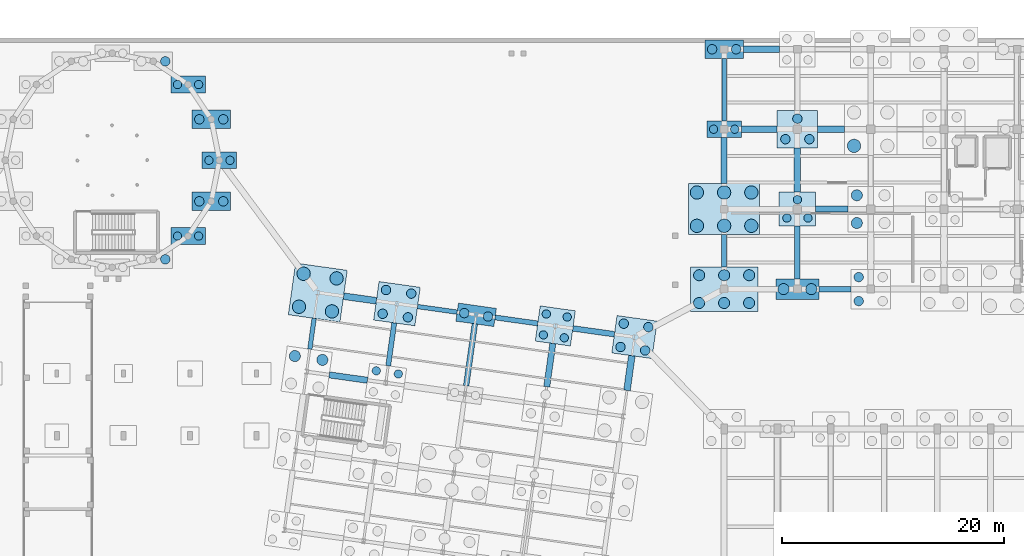
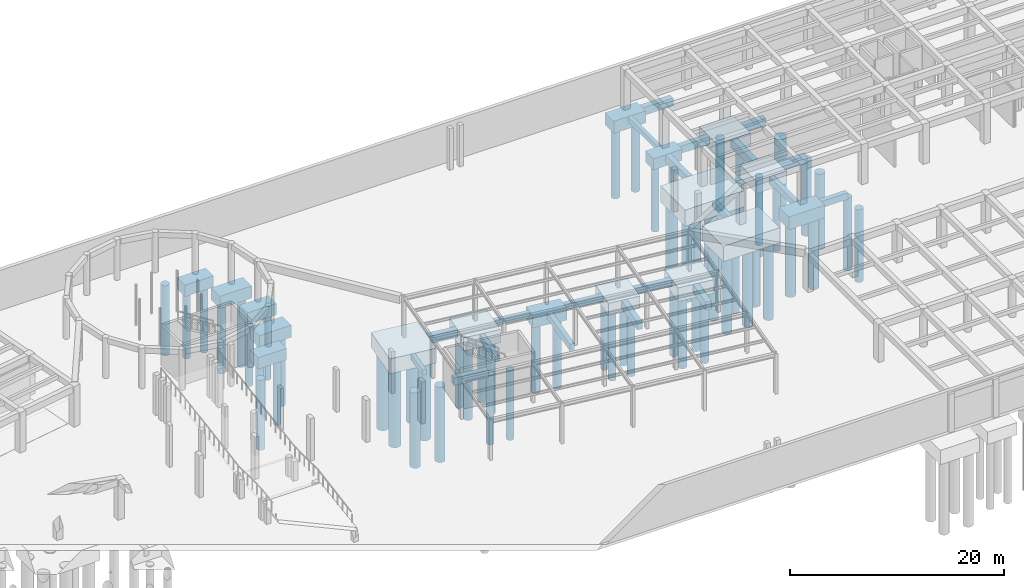
# One storey, part 7 of 34: 63 piles, 37 footings.
"""IFC4 building model written with IfcOpenShell, lengths in metres."""

from ifc_helpers import new_model, si_unit, direction, frame, origin, origin_2d, place, context, subcontext, project, spatial, rectangle, circle, extrude, material, material_profile, profile_set, type_object, element, save


model = new_model("IFC4")

# Units and contexts
model_context = context("Model", 3, precision=1e-05, world=origin(), true_north=direction((0.0, 1.0)))
body_context = subcontext(model_context, "Body", "Model", "MODEL_VIEW")
ifc_project = project(units=[si_unit("LENGTHUNIT", "METRE"), si_unit("AREAUNIT", "SQUARE_METRE"), si_unit("VOLUMEUNIT", "CUBIC_METRE"), si_unit("PLANEANGLEUNIT", "RADIAN"), si_unit("MASSUNIT", "GRAM", prefix="KILO")], contexts=[model_context])

# Site, building, storey
site_placement = place(None, origin())
site = spatial("IfcSite", under=ifc_project, at=site_placement, CompositionType="ELEMENT")
building_placement = place(site_placement, origin())
building = spatial("IfcBuilding", under=site, at=building_placement, Name="Kharisveld Research Institute", CompositionType="ELEMENT")
storey_placement = place(building_placement, frame((0.0, 0.0, -4.800048828125)))
storey = spatial("IfcBuildingStorey", under=building, at=storey_placement, Name="B1", CompositionType="ELEMENT", Elevation=-4.800048828125)

# Footings
ifc_material_1 = material(Name="Concrete C35/45", Category="concrete")
ifc_material_profile_1 = material_profile(ifc_material_1, rectangle(XDim=0.449951171875, YDim=0.64990234375, at=origin_2d()))
ifc_profile_set_1 = profile_set([ifc_material_profile_1], Name="Concrete C35/45")
footing_type_1 = type_object("IfcFootingType", Name="GB_01", PredefinedType="FOOTING_BEAM", material=ifc_profile_set_1)
footing_1_placement = place(storey_placement, frame((114.60009765625, 41.199951171875, -0.77490234375), z_axis=(0.0, 1.0, 0.0), x_axis=(-1.0, 0.0, 0.0)))
element("IfcFooting", 1, at=footing_1_placement, inside=storey, type_object=footing_type_1, Name="FTG:GB:V2:V0_0", PredefinedType="FOOTING_BEAM", context=body_context, shape_type="SweptSolid", body=[
    extrude(rectangle(XDim=0.449951171875, YDim=0.64990234375, at=origin_2d()), origin(), (0.0, 0.0, 1.0), 2.900146484375),
])
footing_2_placement = place(storey_placement, frame((93.97412109375, 36.6455078125, -0.77490234375), z_axis=(0.990276930638, -0.139110030719, 0.0), x_axis=(0.139110030719, 0.990276930638, 0.0)))
element("IfcFooting", 2, at=footing_2_placement, inside=storey, type_object=footing_type_1, Name="FTG:GB:V4:U2_3", PredefinedType="FOOTING_BEAM", context=body_context, shape_type="SweptSolid", body=[
    extrude(rectangle(XDim=0.449951171875, YDim=0.64990234375, at=origin_2d()), origin(), (0.0, 0.0, 1.0), 3.875),
])
footing_3_placement = place(storey_placement, frame((84.349853515625, 32.292724609375, -0.77490234375), z_axis=(0.139159874137, 0.99026992756, 0.0), x_axis=(-0.99026992756, 0.139159874137, 0.0)))
element("IfcFooting", 3, at=footing_3_placement, inside=storey, type_object=footing_type_1, Name="FTG:GB:V4:V1_2", PredefinedType="FOOTING_BEAM", context=body_context, shape_type="SweptSolid", body=[
    extrude(rectangle(XDim=0.449951171875, YDim=0.64990234375, at=origin_2d()), origin(), (0.0, 0.0, 1.0), 3.89990234375),
])
ifc_material_2 = material(Name="Concrete C35/45", Category="concrete")
ifc_material_profile_2 = material_profile(ifc_material_2, rectangle(XDim=0.5, YDim=0.75, at=origin_2d()))
ifc_profile_set_2 = profile_set([ifc_material_profile_2], Name="Concrete C35/45")
footing_type_2 = type_object("IfcFootingType", Name="GB_02", PredefinedType="FOOTING_BEAM", material=ifc_profile_set_2)
footing_4_placement = place(storey_placement, frame((123.14990234375, 39.199951171875, -0.824951171875), z_axis=(1.0, 0.0, 0.0), x_axis=(0.0, 1.0, 0.0)))
element("IfcFooting", 4, at=footing_4_placement, inside=storey, type_object=footing_type_2, Name="FTG:GB:V2:U1_0", PredefinedType="FOOTING_BEAM", context=body_context, shape_type="SweptSolid", body=[
    extrude(rectangle(XDim=0.5, YDim=0.75, at=origin_2d()), origin(), (0.0, 0.0, 1.0), 2.875),
])
footing_5_placement = place(storey_placement, frame((121.199951171875, 40.125, -0.824951171875), z_axis=(0.0, 1.0, 0.0), x_axis=(-1.0, 0.0, 0.0)))
element("IfcFooting", 5, at=footing_5_placement, inside=storey, type_object=footing_type_2, Name="FTG:GB:V2:V1_0", PredefinedType="FOOTING_BEAM", context=body_context, shape_type="SweptSolid", body=[
    extrude(rectangle(XDim=0.5, YDim=0.75, at=origin_2d()), origin(), (0.0, 0.0, 1.0), 4.75),
])
footing_6_placement = place(storey_placement, frame((100.98046875, 35.660888671875, -0.824951171875), z_axis=(0.990266470635, -0.139184471609, 0.0), x_axis=(0.139184471609, 0.990266470635, 0.0)))
element("IfcFooting", 6, at=footing_6_placement, inside=storey, type_object=footing_type_2, Name="FTG:GB:V4:U3_3", PredefinedType="FOOTING_BEAM", context=body_context, shape_type="SweptSolid", body=[
    extrude(rectangle(XDim=0.5, YDim=0.75, at=origin_2d()), origin(), (0.0, 0.0, 1.0), 3.774658203125),
])
footing_7_placement = place(storey_placement, frame((91.368408203125, 30.49853515625, -0.824951171875), z_axis=(0.139148428478, 0.990271535919, 0.0), x_axis=(-0.990271535919, 0.139148428478, 0.0)))
element("IfcFooting", 7, at=footing_7_placement, inside=storey, type_object=footing_type_2, Name="FTG:GB:V4:V2_2", PredefinedType="FOOTING_BEAM", context=body_context, shape_type="SweptSolid", body=[
    extrude(rectangle(XDim=0.5, YDim=0.75, at=origin_2d()), origin(), (0.0, 0.0, 1.0), 5.625),
])
ifc_material_3 = material(Name="Concrete C35/45", Category="concrete")
ifc_material_profile_3 = material_profile(ifc_material_3, rectangle(XDim=0.550048828125, YDim=0.85009765625, at=origin_2d()))
ifc_profile_set_3 = profile_set([ifc_material_profile_3], Name="Concrete C35/45")
footing_type_3 = type_object("IfcFootingType", Name="GB_03", PredefinedType="FOOTING_BEAM", material=ifc_profile_set_3)
footing_8_placement = place(storey_placement, frame((122.85009765625, 46.39990234375, -0.875), z_axis=(1.0, 0.0, 0.0), x_axis=(0.0, 1.0, 0.0)))
element("IfcFooting", 8, at=footing_8_placement, inside=storey, type_object=footing_type_3, Name="FTG:GB:V2:U1_1", PredefinedType="FOOTING_BEAM", context=body_context, shape_type="SweptSolid", body=[
    extrude(rectangle(XDim=0.550048828125, YDim=0.85009765625, at=origin_2d()), origin(), (0.0, 0.0, 1.0), 2.89990234375),
])
footing_9_placement = place(storey_placement, frame((116.14990234375, 53.60009765625, -0.875), z_axis=(1.0, 0.0, 0.0), x_axis=(0.0, 1.0, 0.0)))
element("IfcFooting", 9, at=footing_9_placement, inside=storey, type_object=footing_type_3, Name="FTG:GB:V2:U0_2", PredefinedType="FOOTING_BEAM", context=body_context, shape_type="SweptSolid", body=[
    extrude(rectangle(XDim=0.550048828125, YDim=0.85009765625, at=origin_2d()), origin(), (0.0, 0.0, 1.0), 3.22509765625),
])
footing_10_placement = place(storey_placement, frame((114.60009765625, 48.699951171875, -0.875), z_axis=(0.0, 1.0, 0.0), x_axis=(-1.0, 0.0, 0.0)))
element("IfcFooting", 10, at=footing_10_placement, inside=storey, type_object=footing_type_3, Name="FTG:GB:V2:V0_1", PredefinedType="FOOTING_BEAM", context=body_context, shape_type="SweptSolid", body=[
    extrude(rectangle(XDim=0.550048828125, YDim=0.85009765625, at=origin_2d()), origin(), (0.0, 0.0, 1.0), 4.150146484375),
])
footing_11_placement = place(storey_placement, frame((79.0341796875, 31.474609375, -0.875), z_axis=(0.990267323792, -0.13917840145, 0.0), x_axis=(0.13917840145, 0.990267323792, 0.0)))
element("IfcFooting", 11, at=footing_11_placement, inside=storey, type_object=footing_type_3, Name="FTG:GB:V4:U0_2", PredefinedType="FOOTING_BEAM", context=body_context, shape_type="SweptSolid", body=[
    extrude(rectangle(XDim=0.550048828125, YDim=0.85009765625, at=origin_2d()), origin(), (0.0, 0.0, 1.0), 3.47509765625),
])
footing_12_placement = place(storey_placement, frame((98.626953125, 30.412353515625, -0.875), z_axis=(0.139200509772, 0.990264216298, 0.0), x_axis=(-0.990264216298, 0.139200509772, 0.0)))
element("IfcFooting", 12, at=footing_12_placement, inside=storey, type_object=footing_type_3, Name="FTG:GB:V4:V3_2", PredefinedType="FOOTING_BEAM", context=body_context, shape_type="SweptSolid", body=[
    extrude(rectangle(XDim=0.550048828125, YDim=0.85009765625, at=origin_2d()), origin(), (0.0, 0.0, 1.0), 3.92529296875),
])
ifc_material_4 = material(Name="Concrete C35/45", Category="concrete")
ifc_material_profile_4 = material_profile(ifc_material_4, rectangle(XDim=0.60009765625, YDim=0.89990234375, at=origin_2d()))
ifc_profile_set_4 = profile_set([ifc_material_profile_4], Name="Concrete C35/45")
footing_type_4 = type_object("IfcFootingType", Name="GB_04", PredefinedType="FOOTING_BEAM", material=ifc_profile_set_4)
footing_13_placement = place(storey_placement, frame((123.02490234375, 53.60009765625, -0.89990234375), z_axis=(1.0, 0.0, 0.0), x_axis=(0.0, 1.0, 0.0)))
element("IfcFooting", 13, at=footing_13_placement, inside=storey, type_object=footing_type_4, Name="FTG:GB:V2:U1_2", PredefinedType="FOOTING_BEAM", context=body_context, shape_type="SweptSolid", body=[
    extrude(rectangle(XDim=0.60009765625, YDim=0.89990234375, at=origin_2d()), origin(), (0.0, 0.0, 1.0), 2.425048828125),
])
footing_14_placement = place(storey_placement, frame((116.324951171875, 60.800048828125, -0.89990234375), z_axis=(1.0, 0.0, 0.0), x_axis=(0.0, 1.0, 0.0)))
element("IfcFooting", 14, at=footing_14_placement, inside=storey, type_object=footing_type_4, Name="FTG:GB:V2:U0_3", PredefinedType="FOOTING_BEAM", context=body_context, shape_type="SweptSolid", body=[
    extrude(rectangle(XDim=0.60009765625, YDim=0.89990234375, at=origin_2d()), origin(), (0.0, 0.0, 1.0), 3.275146484375),
])
footing_15_placement = place(storey_placement, frame((121.199951171875, 47.925048828125, -0.89990234375), z_axis=(0.0, 1.0, 0.0), x_axis=(-1.0, 0.0, 0.0)))
element("IfcFooting", 15, at=footing_15_placement, inside=storey, type_object=footing_type_4, Name="FTG:GB:V2:V1_1", PredefinedType="FOOTING_BEAM", context=body_context, shape_type="SweptSolid", body=[
    extrude(rectangle(XDim=0.60009765625, YDim=0.89990234375, at=origin_2d()), origin(), (0.0, 0.0, 1.0), 4.0),
])
footing_16_placement = place(storey_placement, frame((80.333251953125, 38.562744140625, -0.89990234375), z_axis=(0.990267008431, -0.139180645256, 0.0), x_axis=(0.139180645256, 0.990267008431, 0.0)))
element("IfcFooting", 16, at=footing_16_placement, inside=storey, type_object=footing_type_4, Name="FTG:GB:V4:U0_3", PredefinedType="FOOTING_BEAM", context=body_context, shape_type="SweptSolid", body=[
    extrude(rectangle(XDim=0.60009765625, YDim=0.89990234375, at=origin_2d()), origin(), (0.0, 0.0, 1.0), 2.97509765625),
])
footing_17_placement = place(storey_placement, frame((105.850830078125, 30.078857421875, -0.89990234375), z_axis=(0.139196643081, 0.990264759827, 0.0), x_axis=(-0.990264759827, 0.139196643081, 0.0)))
element("IfcFooting", 17, at=footing_17_placement, inside=storey, type_object=footing_type_4, Name="FTG:GB:V4:V4_2", PredefinedType="FOOTING_BEAM", context=body_context, shape_type="SweptSolid", body=[
    extrude(rectangle(XDim=0.60009765625, YDim=0.89990234375, at=origin_2d()), origin(), (0.0, 0.0, 1.0), 3.150146484375),
])
ifc_material_5 = material(Name="Concrete C35/45", Category="concrete")
ifc_material_profile_5 = material_profile(ifc_material_5, rectangle(XDim=0.39990234375, YDim=0.60009765625, at=origin_2d()))
ifc_profile_set_5 = profile_set([ifc_material_profile_5], Name="Concrete C35/45")
footing_type_5 = type_object("IfcFootingType", Name="GB_05", PredefinedType="FOOTING_BEAM", material=ifc_profile_set_5)
footing_18_placement = place(storey_placement, frame((114.60009765625, 54.35009765625, -0.75), z_axis=(0.0, 1.0, 0.0), x_axis=(-1.0, 0.0, 0.0)))
element("IfcFooting", 18, at=footing_18_placement, inside=storey, type_object=footing_type_5, Name="FTG:GB:V2:V0_2", PredefinedType="FOOTING_BEAM", context=body_context, shape_type="SweptSolid", body=[
    extrude(rectangle(XDim=0.39990234375, YDim=0.60009765625, at=origin_2d()), origin(), (0.0, 0.0, 1.0), 5.625),
])
footing_19_placement = place(storey_placement, frame((86.992919921875, 37.626708984375, -0.75), z_axis=(0.990269725511, -0.139161311926, 0.0), x_axis=(0.139161311926, 0.990269725511, 0.0)))
element("IfcFooting", 19, at=footing_19_placement, inside=storey, type_object=footing_type_5, Name="FTG:GB:V4:U1_3", PredefinedType="FOOTING_BEAM", context=body_context, shape_type="SweptSolid", body=[
    extrude(rectangle(XDim=0.39990234375, YDim=0.60009765625, at=origin_2d()), origin(), (0.0, 0.0, 1.0), 3.599853515625),
])
footing_20_placement = place(storey_placement, frame((77.289306640625, 33.789794921875, -0.75), z_axis=(0.139236129266, 0.990259208645, 0.0), x_axis=(-0.990259208645, 0.139236129266, 0.0)))
element("IfcFooting", 20, at=footing_20_placement, inside=storey, type_object=footing_type_5, Name="FTG:GB:V4:V0_2", PredefinedType="FOOTING_BEAM", context=body_context, shape_type="SweptSolid", body=[
    extrude(rectangle(XDim=0.39990234375, YDim=0.60009765625, at=origin_2d()), origin(), (0.0, 0.0, 1.0), 2.80029296875),
])
ifc_material_6 = material(Name="Concrete C35/45", Category="concrete")
footing_type_6 = type_object("IfcFootingType", Name="PC_2P_A", PredefinedType="PILE_CAP", material=ifc_material_6)
for number, where, z_axis, x_axis, name in (
    (21, (114.60009765625, 53.60009765625, -1.75), (0.0, 0.0, 1.0), (1.0, 0.0, 0.0), "FTG:V2:U0V2"),
    (22, (69.14990234375, 50.800048828125, -1.75), (0.0, 0.0, 1.0), (1.0, 0.0, 0.0), "FTG:V6:R00"),
    (23, (66.323486328125, 57.62353515625, -1.75), (0.0, 0.0, 1.0), (1.0, 0.0, 0.0), "FTG:V6:R02"),
    (24, (66.323486328125, 43.976318359375, -1.75), (0.0, 0.0, 1.0), (1.0, 0.0, 0.0), "FTG:V6:R14"),
):
    element("IfcFooting", number, at=place(storey_placement, frame(where, z_axis=z_axis, x_axis=x_axis)), inside=storey, type_object=footing_type_6, Name=name, PredefinedType="PILE_CAP", context=body_context, shape_type="SweptSolid", body=[
        extrude(rectangle(XDim=3.10009765625, YDim=1.5, at=origin_2d()), origin(), (0.0, 0.0, 1.0), 1.300048828125),
    ])
ifc_material_7 = material(Name="Concrete C35/45", Category="concrete")
footing_type_7 = type_object("IfcFootingType", Name="PC_2P_B", PredefinedType="PILE_CAP", material=ifc_material_7)
for number, where, z_axis, x_axis, name in (
    (25, (114.60009765625, 60.800048828125, -1.849853515625), (0.0, 0.0, 1.0), (1.0, 0.0, 0.0), "FTG:V2:U0V3"),
    (26, (92.26611328125, 36.8857421875, -1.849853515625), (0.0, 0.0, 1.0), (0.990268068742, -0.13917310096, 0.0), "FTG:V4:U2V3"),
    (27, (68.41552734375, 54.492919921875, -1.849853515625), (0.0, 0.0, 1.0), (1.0, 0.0, 0.0), "FTG:V6:R01"),
    (28, (68.41552734375, 47.107177734375, -1.849853515625), (0.0, 0.0, 1.0), (1.0, 0.0, 0.0), "FTG:V6:R15"),
):
    element("IfcFooting", number, at=place(storey_placement, frame(where, z_axis=z_axis, x_axis=x_axis)), inside=storey, type_object=footing_type_7, Name=name, PredefinedType="PILE_CAP", context=body_context, shape_type="SweptSolid", body=[
        extrude(rectangle(XDim=3.449951171875, YDim=1.64990234375, at=origin_2d()), origin(), (0.0, 0.0, 1.0), 1.39990234375),
    ])
ifc_material_8 = material(Name="Concrete C35/45", Category="concrete")
footing_type_8 = type_object("IfcFootingType", Name="PC_2P_C", PredefinedType="PILE_CAP", material=ifc_material_8)
footing_21_placement = place(storey_placement, frame((121.199951171875, 39.199951171875, -1.89990234375), z_axis=(0.0, 0.0, 1.0), x_axis=(1.0, 0.0, 0.0)))
element("IfcFooting", 29, at=footing_21_placement, inside=storey, type_object=footing_type_8, Name="FTG:V2:U1V0", PredefinedType="PILE_CAP", context=body_context, shape_type="SweptSolid", body=[
    extrude(rectangle(XDim=3.89990234375, YDim=1.85009765625, at=origin_2d()), origin(), (0.0, 0.0, 1.0), 1.449951171875),
])
ifc_material_9 = material(Name="Concrete C35/45", Category="concrete")
footing_type_9 = type_object("IfcFootingType", Name="PC_3P_A", PredefinedType="PILE_CAP", material=ifc_material_9)
footing_22_placement = place(storey_placement, frame((121.199951171875, 46.39990234375, -1.89990234375), z_axis=(0.0, 0.0, 1.0), x_axis=(1.0, 0.0, 0.0)))
element("IfcFooting", 30, at=footing_22_placement, inside=storey, type_object=footing_type_9, Name="FTG:V2:U1V1", PredefinedType="PILE_CAP", context=body_context, shape_type="SweptSolid", body=[
    extrude(rectangle(XDim=3.300048828125, YDim=3.050048828125, at=origin_2d()), origin(), (0.0, 0.0, 1.0), 1.449951171875),
])
ifc_material_10 = material(Name="Concrete C35/45", Category="concrete")
footing_type_10 = type_object("IfcFootingType", Name="PC_3P_B", PredefinedType="PILE_CAP", material=ifc_material_10)
footing_23_placement = place(storey_placement, frame((121.199951171875, 53.60009765625, -1.949951171875), z_axis=(0.0, 0.0, 1.0), x_axis=(1.0, 0.0, 0.0)))
element("IfcFooting", 31, at=footing_23_placement, inside=storey, type_object=footing_type_10, Name="FTG:V2:U1V2", PredefinedType="PILE_CAP", context=body_context, shape_type="SweptSolid", body=[
    extrude(rectangle(XDim=3.64990234375, YDim=3.35009765625, at=origin_2d()), origin(), (0.0, 0.0, 1.0), 1.5),
])
ifc_material_11 = material(Name="Concrete C35/45", Category="concrete")
footing_type_11 = type_object("IfcFootingType", Name="PC_4P_A", PredefinedType="PILE_CAP", material=ifc_material_11)
footing_24_placement = place(storey_placement, frame((99.39599609375, 35.883544921875, -1.849853515625), z_axis=(0.0, 0.0, 1.0), x_axis=(0.990268068742, -0.13917310096, 0.0)))
element("IfcFooting", 32, at=footing_24_placement, inside=storey, type_object=footing_type_11, Name="FTG:V4:U3V3", PredefinedType="PILE_CAP", context=body_context, shape_type="SweptSolid", body=[
    extrude(rectangle(XDim=3.199951171875, YDim=3.199951171875, at=origin_2d()), origin(), (0.0, 0.0, 1.0), 1.39990234375),
])
ifc_material_12 = material(Name="Concrete C35/45", Category="concrete")
footing_type_12 = type_object("IfcFootingType", Name="PC_4P_D", PredefinedType="PILE_CAP", material=ifc_material_12)
footing_25_placement = place(storey_placement, frame((78.006103515625, 38.889892578125, -2.14990234375), z_axis=(0.0, 0.0, 1.0), x_axis=(0.990268068742, -0.13917310096, 0.0)))
element("IfcFooting", 33, at=footing_25_placement, inside=storey, type_object=footing_type_12, Name="FTG:V4:U0V3", PredefinedType="PILE_CAP", context=body_context, shape_type="SweptSolid", body=[
    extrude(rectangle(XDim=4.699951171875, YDim=4.699951171875, at=origin_2d()), origin(), (0.0, 0.0, 1.0), 1.699951171875),
])
ifc_material_13 = material(Name="Concrete C35/45", Category="concrete")
footing_type_13 = type_object("IfcFootingType", Name="PC_4P_E", PredefinedType="PILE_CAP", material=ifc_material_13)
footing_26_placement = place(storey_placement, frame((106.52587890625, 34.881591796875, -2.0), z_axis=(0.0, 0.0, 1.0), x_axis=(0.990268068742, -0.13917310096, 0.0)))
element("IfcFooting", 34, at=footing_26_placement, inside=storey, type_object=footing_type_13, Name="FTG:V4:U4V3", PredefinedType="PILE_CAP", context=body_context, shape_type="SweptSolid", body=[
    extrude(rectangle(XDim=3.64990234375, YDim=3.39990234375, at=origin_2d()), origin(), (0.0, 0.0, 1.0), 1.550048828125),
])
ifc_material_14 = material(Name="Concrete C35/45", Category="concrete")
footing_type_14 = type_object("IfcFootingType", Name="PC_4P_H", PredefinedType="PILE_CAP", material=ifc_material_14)
footing_27_placement = place(storey_placement, frame((85.135986328125, 37.8876953125, -1.969970703125), z_axis=(0.0, 0.0, 1.0), x_axis=(0.990268068742, -0.13917310096, 0.0)))
element("IfcFooting", 35, at=footing_27_placement, inside=storey, type_object=footing_type_14, Name="FTG:V4:U1V3", PredefinedType="PILE_CAP", context=body_context, shape_type="SweptSolid", body=[
    extrude(rectangle(XDim=3.75, YDim=3.5, at=origin_2d()), origin(), (0.0, 0.0, 1.0), 1.52001953125),
])
ifc_material_15 = material(Name="Concrete C35/45", Category="concrete")
footing_type_15 = type_object("IfcFootingType", Name="PC_6P_A", PredefinedType="PILE_CAP", material=ifc_material_15)
footing_28_placement = place(storey_placement, frame((114.60009765625, 39.199951171875, -2.199951171875), z_axis=(0.0, 0.0, 1.0), x_axis=(1.0, 0.0, 0.0)))
element("IfcFooting", 36, at=footing_28_placement, inside=storey, type_object=footing_type_15, Name="FTG:V2:U0V0", PredefinedType="PILE_CAP", context=body_context, shape_type="SweptSolid", body=[
    extrude(rectangle(XDim=6.10009765625, YDim=4.0, at=origin_2d()), origin(), (0.0, 0.0, 1.0), 1.75),
])
ifc_material_16 = material(Name="Concrete C35/45", Category="concrete")
footing_type_16 = type_object("IfcFootingType", Name="PC_6P_B", PredefinedType="PILE_CAP", material=ifc_material_16)
footing_29_placement = place(storey_placement, frame((114.60009765625, 46.39990234375, -2.300048828125), z_axis=(0.0, 0.0, 1.0), x_axis=(1.0, 0.0, 0.0)))
element("IfcFooting", 37, at=footing_29_placement, inside=storey, type_object=footing_type_16, Name="FTG:V2:U0V1", PredefinedType="PILE_CAP", context=body_context, shape_type="SweptSolid", body=[
    extrude(rectangle(XDim=6.39990234375, YDim=4.60009765625, at=origin_2d()), origin(), (0.0, 0.0, 1.0), 1.85009765625),
])

# Piles
ifc_material_17 = material(Name="Concrete C40/50", Category="concrete")
ifc_material_profile_6 = material_profile(ifc_material_17, circle(Radius=0.5, at=origin_2d()))
ifc_profile_set_6 = profile_set([ifc_material_profile_6], Name="Concrete C40/50")
pile_type_1 = type_object("IfcPileType", Name="PILE_D1000", PredefinedType="BORED", material=ifc_profile_set_6)
for number, where, z_axis, x_axis, name in (
    (38, (112.35009765625, 37.949951171875, -2.099853515625), (0.0, 0.0, -1.0), (1.0, 0.0, 0.0), "PILE:V2:U0V0:P1"),
    (39, (114.60009765625, 37.949951171875, -2.099853515625), (0.0, 0.0, -1.0), (1.0, 0.0, 0.0), "PILE:V2:U0V0:P2"),
    (40, (116.85009765625, 37.949951171875, -2.099853515625), (0.0, 0.0, -1.0), (1.0, 0.0, 0.0), "PILE:V2:U0V0:P3"),
    (41, (112.35009765625, 40.449951171875, -2.099853515625), (0.0, 0.0, -1.0), (1.0, 0.0, 0.0), "PILE:V2:U0V0:P4"),
    (42, (114.60009765625, 40.449951171875, -2.099853515625), (0.0, 0.0, -1.0), (1.0, 0.0, 0.0), "PILE:V2:U0V0:P5"),
    (43, (116.85009765625, 40.449951171875, -2.099853515625), (0.0, 0.0, -1.0), (1.0, 0.0, 0.0), "PILE:V2:U0V0:P6"),
):
    element("IfcPile", number, at=place(storey_placement, frame(where, z_axis=z_axis, x_axis=x_axis)), inside=storey, type_object=pile_type_1, Name=name, PredefinedType="BORED", context=body_context, shape_type="SweptSolid", body=[
        extrude(circle(Radius=0.5, at=origin_2d()), origin(), (0.0, 0.0, 1.0), 8.800048828125),
    ])
for number, where, z_axis, x_axis, name in (
    (44, (119.949951171875, 39.199951171875, -1.800048828125), (0.0, 0.0, -1.0), (1.0, 0.0, 0.0), "PILE:V2:U1V0:P1"),
    (45, (122.449951171875, 39.199951171875, -1.800048828125), (0.0, 0.0, -1.0), (1.0, 0.0, 0.0), "PILE:V2:U1V0:P2"),
):
    element("IfcPile", number, at=place(storey_placement, frame(where, z_axis=z_axis, x_axis=x_axis)), inside=storey, type_object=pile_type_1, Name=name, PredefinedType="BORED", context=body_context, shape_type="SweptSolid", body=[
        extrude(circle(Radius=0.5, at=origin_2d()), origin(), (0.0, 0.0, 1.0), 8.300048828125),
    ])
for number, where, z_axis, x_axis, name in (
    (46, (126.550048828125, 45.14990234375, -1.949951171875), (0.0, 0.0, -1.0), (1.0, 0.0, 0.0), "PILE:V2:U2V1:P1"),
    (47, (126.550048828125, 47.64990234375, -1.949951171875), (0.0, 0.0, -1.0), (1.0, 0.0, 0.0), "PILE:V2:U2V1:P4"),
    (48, (78.416015625, 32.82373046875, -1.949951171875), (0.0, 0.0, -1.0), (1.0, 0.0, 0.0), "PILE:V4:U0V2:P3"),
    (49, (75.940185546875, 33.171630859375, -1.949951171875), (0.0, 0.0, -1.0), (1.0, 0.0, 0.0), "PILE:V4:U0V2:P4"),
):
    element("IfcPile", number, at=place(storey_placement, frame(where, z_axis=z_axis, x_axis=x_axis)), inside=storey, type_object=pile_type_1, Name=name, PredefinedType="BORED", context=body_context, shape_type="SweptSolid", body=[
        extrude(circle(Radius=0.5, at=origin_2d()), origin(), (0.0, 0.0, 1.0), 8.60009765625),
    ])
ifc_material_18 = material(Name="Concrete C40/50", Category="concrete")
ifc_material_profile_7 = material_profile(ifc_material_18, circle(Radius=0.60009765625, at=origin_2d()))
ifc_profile_set_7 = profile_set([ifc_material_profile_7], Name="Concrete C40/50")
pile_type_2 = type_object("IfcPileType", Name="PILE_D1200", PredefinedType="BORED", material=ifc_profile_set_7)
for number, where, z_axis, x_axis, name in (
    (50, (112.14990234375, 44.89990234375, -2.199951171875), (0.0, 0.0, -1.0), (1.0, 0.0, 0.0), "PILE:V2:U0V1:P1"),
    (51, (114.60009765625, 44.89990234375, -2.199951171875), (0.0, 0.0, -1.0), (1.0, 0.0, 0.0), "PILE:V2:U0V1:P2"),
    (52, (117.050048828125, 44.89990234375, -2.199951171875), (0.0, 0.0, -1.0), (1.0, 0.0, 0.0), "PILE:V2:U0V1:P3"),
    (53, (112.14990234375, 47.89990234375, -2.199951171875), (0.0, 0.0, -1.0), (1.0, 0.0, 0.0), "PILE:V2:U0V1:P4"),
    (54, (114.60009765625, 47.89990234375, -2.199951171875), (0.0, 0.0, -1.0), (1.0, 0.0, 0.0), "PILE:V2:U0V1:P5"),
    (55, (117.050048828125, 47.89990234375, -2.199951171875), (0.0, 0.0, -1.0), (1.0, 0.0, 0.0), "PILE:V2:U0V1:P6"),
):
    element("IfcPile", number, at=place(storey_placement, frame(where, z_axis=z_axis, x_axis=x_axis)), inside=storey, type_object=pile_type_2, Name=name, PredefinedType="BORED", context=body_context, shape_type="SweptSolid", body=[
        extrude(circle(Radius=0.60009765625, at=origin_2d()), origin(), (0.0, 0.0, 1.0), 9.10009765625),
    ])
for number, where, z_axis, x_axis, name in (
    (56, (126.300048828125, 52.10009765625, -2.050048828125), (0.0, 0.0, -1.0), (1.0, 0.0, 0.0), "PILE:V2:U2V2:P1"),
    (57, (76.31201171875, 37.613037109375, -2.050048828125), (0.0, 0.0, -1.0), (1.0, 0.0, 0.0), "PILE:V4:U0V3:P1"),
    (58, (79.28271484375, 37.195556640625, -2.050048828125), (0.0, 0.0, -1.0), (1.0, 0.0, 0.0), "PILE:V4:U0V3:P2"),
    (59, (79.7001953125, 40.16650390625, -2.050048828125), (0.0, 0.0, -1.0), (1.0, 0.0, 0.0), "PILE:V4:U0V3:P3"),
    (60, (76.7294921875, 40.583984375, -2.050048828125), (0.0, 0.0, -1.0), (1.0, 0.0, 0.0), "PILE:V4:U0V3:P4"),
):
    element("IfcPile", number, at=place(storey_placement, frame(where, z_axis=z_axis, x_axis=x_axis)), inside=storey, type_object=pile_type_2, Name=name, PredefinedType="BORED", context=body_context, shape_type="SweptSolid", body=[
        extrude(circle(Radius=0.60009765625, at=origin_2d()), origin(), (0.0, 0.0, 1.0), 8.89990234375),
    ])
ifc_material_19 = material(Name="Concrete C40/50", Category="concrete")
ifc_material_profile_8 = material_profile(ifc_material_19, circle(Radius=0.375, at=origin_2d()))
ifc_profile_set_8 = profile_set([ifc_material_profile_8], Name="Concrete C40/50")
pile_type_3 = type_object("IfcPileType", Name="PILE_D750", PredefinedType="BORED", material=ifc_profile_set_8)
for number, where, z_axis, x_axis, name in (
    (61, (113.64990234375, 53.60009765625, -1.64990234375), (0.0, 0.0, -1.0), (1.0, 0.0, 0.0), "PILE:V2:U0V2:P1"),
    (62, (115.550048828125, 53.60009765625, -1.64990234375), (0.0, 0.0, -1.0), (1.0, 0.0, 0.0), "PILE:V2:U0V2:P2"),
):
    element("IfcPile", number, at=place(storey_placement, frame(where, z_axis=z_axis, x_axis=x_axis)), inside=storey, type_object=pile_type_3, Name=name, PredefinedType="BORED", context=body_context, shape_type="SweptSolid", body=[
        extrude(circle(Radius=0.375, at=origin_2d()), origin(), (0.0, 0.0, 1.0), 7.60009765625),
    ])
for number, where, z_axis, x_axis, name in (
    (63, (120.25, 45.60009765625, -1.800048828125), (0.0, 0.0, -1.0), (1.0, 0.0, 0.0), "PILE:V2:U1V1:P1"),
    (64, (122.14990234375, 45.60009765625, -1.800048828125), (0.0, 0.0, -1.0), (1.0, 0.0, 0.0), "PILE:V2:U1V1:P2"),
    (65, (121.199951171875, 47.25, -1.800048828125), (0.0, 0.0, -1.0), (1.0, 0.0, 0.0), "PILE:V2:U1V1:P3"),
):
    element("IfcPile", number, at=place(storey_placement, frame(where, z_axis=z_axis, x_axis=x_axis)), inside=storey, type_object=pile_type_3, Name=name, PredefinedType="BORED", context=body_context, shape_type="SweptSolid", body=[
        extrude(circle(Radius=0.375, at=origin_2d()), origin(), (0.0, 0.0, 1.0), 7.800048828125),
    ])
for number, where, z_axis, x_axis, name in (
    (66, (85.256591796875, 31.559326171875, -1.77001953125), (0.0, 0.0, -1.0), (1.0, 0.0, 0.0), "PILE:V4:U1V2:P3"),
    (67, (83.27587890625, 31.837646484375, -1.77001953125), (0.0, 0.0, -1.0), (1.0, 0.0, 0.0), "PILE:V4:U1V2:P4"),
):
    element("IfcPile", number, at=place(storey_placement, frame(where, z_axis=z_axis, x_axis=x_axis)), inside=storey, type_object=pile_type_3, Name=name, PredefinedType="BORED", context=body_context, shape_type="SweptSolid", body=[
        extrude(circle(Radius=0.375, at=origin_2d()), origin(), (0.0, 0.0, 1.0), 7.949951171875),
    ])
for number, where, z_axis, x_axis, name in (
    (68, (98.322998046875, 35.0751953125, -1.75), (0.0, 0.0, -1.0), (1.0, 0.0, 0.0), "PILE:V4:U3V3:P1"),
    (69, (100.20458984375, 34.810791015625, -1.75), (0.0, 0.0, -1.0), (1.0, 0.0, 0.0), "PILE:V4:U3V3:P2"),
    (70, (100.468994140625, 36.692138671875, -1.75), (0.0, 0.0, -1.0), (1.0, 0.0, 0.0), "PILE:V4:U3V3:P3"),
    (71, (98.58740234375, 36.95654296875, -1.75), (0.0, 0.0, -1.0), (1.0, 0.0, 0.0), "PILE:V4:U3V3:P4"),
):
    element("IfcPile", number, at=place(storey_placement, frame(where, z_axis=z_axis, x_axis=x_axis)), inside=storey, type_object=pile_type_3, Name=name, PredefinedType="BORED", context=body_context, shape_type="SweptSolid", body=[
        extrude(circle(Radius=0.375, at=origin_2d()), origin(), (0.0, 0.0, 1.0), 7.89990234375),
    ])
for number, where, z_axis, x_axis, name in (
    (72, (68.199951171875, 50.800048828125, -1.64990234375), (0.0, 0.0, -1.0), (1.0, 0.0, 0.0), "PILE:V6:R00:P1"),
    (73, (70.10009765625, 50.800048828125, -1.64990234375), (0.0, 0.0, -1.0), (1.0, 0.0, 0.0), "PILE:V6:R00:P2"),
    (74, (65.37353515625, 57.62353515625, -1.64990234375), (0.0, 0.0, -1.0), (1.0, 0.0, 0.0), "PILE:V6:R02:P1"),
    (75, (67.273681640625, 57.62353515625, -1.64990234375), (0.0, 0.0, -1.0), (1.0, 0.0, 0.0), "PILE:V6:R02:P2"),
    (76, (65.37353515625, 43.976318359375, -1.64990234375), (0.0, 0.0, -1.0), (1.0, 0.0, 0.0), "PILE:V6:R14:P1"),
    (77, (67.273681640625, 43.976318359375, -1.64990234375), (0.0, 0.0, -1.0), (1.0, 0.0, 0.0), "PILE:V6:R14:P2"),
):
    element("IfcPile", number, at=place(storey_placement, frame(where, z_axis=z_axis, x_axis=x_axis)), inside=storey, type_object=pile_type_3, Name=name, PredefinedType="BORED", context=body_context, shape_type="SweptSolid", body=[
        extrude(circle(Radius=0.375, at=origin_2d()), origin(), (0.0, 0.0, 1.0), 7.60009765625),
    ])
ifc_material_20 = material(Name="Concrete C40/50", Category="concrete")
ifc_material_profile_9 = material_profile(ifc_material_20, circle(Radius=0.425048828125, at=origin_2d()))
ifc_profile_set_9 = profile_set([ifc_material_profile_9], Name="Concrete C40/50")
pile_type_4 = type_object("IfcPileType", Name="PILE_D850", PredefinedType="BORED", material=ifc_profile_set_9)
for number, where, z_axis, x_axis, name in (
    (78, (113.52001953125, 60.800048828125, -1.75), (0.0, 0.0, -1.0), (1.0, 0.0, 0.0), "PILE:V2:U0V3:P1"),
    (79, (115.679931640625, 60.800048828125, -1.75), (0.0, 0.0, -1.0), (1.0, 0.0, 0.0), "PILE:V2:U0V3:P2"),
):
    element("IfcPile", number, at=place(storey_placement, frame(where, z_axis=z_axis, x_axis=x_axis)), inside=storey, type_object=pile_type_4, Name=name, PredefinedType="BORED", context=body_context, shape_type="SweptSolid", body=[
        extrude(circle(Radius=0.425048828125, at=origin_2d()), origin(), (0.0, 0.0, 1.0), 8.0),
    ])
for number, where, z_axis, x_axis, name in (
    (80, (120.1201171875, 52.699951171875, -1.849853515625), (0.0, 0.0, -1.0), (1.0, 0.0, 0.0), "PILE:V2:U1V2:P1"),
    (81, (122.280029296875, 52.699951171875, -1.849853515625), (0.0, 0.0, -1.0), (1.0, 0.0, 0.0), "PILE:V2:U1V2:P2"),
    (82, (121.199951171875, 54.550048828125, -1.849853515625), (0.0, 0.0, -1.0), (1.0, 0.0, 0.0), "PILE:V2:U1V2:P3"),
):
    element("IfcPile", number, at=place(storey_placement, frame(where, z_axis=z_axis, x_axis=x_axis)), inside=storey, type_object=pile_type_4, Name=name, PredefinedType="BORED", context=body_context, shape_type="SweptSolid", body=[
        extrude(circle(Radius=0.425048828125, at=origin_2d()), origin(), (0.0, 0.0, 1.0), 8.199951171875),
    ])
for number, where, z_axis, x_axis, name in (
    (83, (126.719970703125, 38.1201171875, -1.849853515625), (0.0, 0.0, -1.0), (1.0, 0.0, 0.0), "PILE:V2:U2V0:P1"),
    (84, (126.719970703125, 40.280029296875, -1.849853515625), (0.0, 0.0, -1.0), (1.0, 0.0, 0.0), "PILE:V2:U2V0:P4"),
):
    element("IfcPile", number, at=place(storey_placement, frame(where, z_axis=z_axis, x_axis=x_axis)), inside=storey, type_object=pile_type_4, Name=name, PredefinedType="BORED", context=body_context, shape_type="SweptSolid", body=[
        extrude(circle(Radius=0.425048828125, at=origin_2d()), origin(), (0.0, 0.0, 1.0), 8.300048828125),
    ])
for number, where, z_axis, x_axis, name in (
    (85, (83.846923828125, 36.978271484375, -1.869873046875), (0.0, 0.0, -1.0), (1.0, 0.0, 0.0), "PILE:V4:U1V3:P1"),
    (86, (86.12451171875, 36.658203125, -1.869873046875), (0.0, 0.0, -1.0), (1.0, 0.0, 0.0), "PILE:V4:U1V3:P2"),
    (87, (86.42529296875, 38.797119140625, -1.869873046875), (0.0, 0.0, -1.0), (1.0, 0.0, 0.0), "PILE:V4:U1V3:P3"),
    (88, (84.1474609375, 39.1171875, -1.869873046875), (0.0, 0.0, -1.0), (1.0, 0.0, 0.0), "PILE:V4:U1V3:P4"),
):
    element("IfcPile", number, at=place(storey_placement, frame(where, z_axis=z_axis, x_axis=x_axis)), inside=storey, type_object=pile_type_4, Name=name, PredefinedType="BORED", context=body_context, shape_type="SweptSolid", body=[
        extrude(circle(Radius=0.425048828125, at=origin_2d()), origin(), (0.0, 0.0, 1.0), 8.35009765625),
    ])
for number, where, z_axis, x_axis, name in (
    (89, (91.196533203125, 37.035888671875, -1.75), (0.0, 0.0, -1.0), (1.0, 0.0, 0.0), "PILE:V4:U2V3:P1"),
    (90, (93.33544921875, 36.7353515625, -1.75), (0.0, 0.0, -1.0), (1.0, 0.0, 0.0), "PILE:V4:U2V3:P2"),
):
    element("IfcPile", number, at=place(storey_placement, frame(where, z_axis=z_axis, x_axis=x_axis)), inside=storey, type_object=pile_type_4, Name=name, PredefinedType="BORED", context=body_context, shape_type="SweptSolid", body=[
        extrude(circle(Radius=0.425048828125, at=origin_2d()), origin(), (0.0, 0.0, 1.0), 8.0),
    ])
for number, where, z_axis, x_axis, name in (
    (91, (105.269287109375, 33.98779296875, -1.89990234375), (0.0, 0.0, -1.0), (1.0, 0.0, 0.0), "PILE:V4:U4V3:P1"),
    (92, (107.487548828125, 33.676025390625, -1.89990234375), (0.0, 0.0, -1.0), (1.0, 0.0, 0.0), "PILE:V4:U4V3:P2"),
    (93, (107.782470703125, 35.775390625, -1.89990234375), (0.0, 0.0, -1.0), (1.0, 0.0, 0.0), "PILE:V4:U4V3:P3"),
    (94, (105.564208984375, 36.087158203125, -1.89990234375), (0.0, 0.0, -1.0), (1.0, 0.0, 0.0), "PILE:V4:U4V3:P4"),
):
    element("IfcPile", number, at=place(storey_placement, frame(where, z_axis=z_axis, x_axis=x_axis)), inside=storey, type_object=pile_type_4, Name=name, PredefinedType="BORED", context=body_context, shape_type="SweptSolid", body=[
        extrude(circle(Radius=0.425048828125, at=origin_2d()), origin(), (0.0, 0.0, 1.0), 8.10009765625),
    ])
for number, where, z_axis, x_axis, name in (
    (95, (67.33544921875, 54.492919921875, -1.75), (0.0, 0.0, -1.0), (1.0, 0.0, 0.0), "PILE:V6:R01:P1"),
    (96, (69.495361328125, 54.492919921875, -1.75), (0.0, 0.0, -1.0), (1.0, 0.0, 0.0), "PILE:V6:R01:P2"),
    (97, (64.27294921875, 59.71533203125, -1.75), (0.0, 0.0, -1.0), (1.0, 0.0, 0.0), "PILE:V6:R03:P2"),
    (98, (64.27294921875, 41.884521484375, -1.75), (0.0, 0.0, -1.0), (1.0, 0.0, 0.0), "PILE:V6:R13:P2"),
    (99, (67.33544921875, 47.107177734375, -1.75), (0.0, 0.0, -1.0), (1.0, 0.0, 0.0), "PILE:V6:R15:P1"),
    (100, (69.495361328125, 47.107177734375, -1.75), (0.0, 0.0, -1.0), (1.0, 0.0, 0.0), "PILE:V6:R15:P2"),
):
    element("IfcPile", number, at=place(storey_placement, frame(where, z_axis=z_axis, x_axis=x_axis)), inside=storey, type_object=pile_type_4, Name=name, PredefinedType="BORED", context=body_context, shape_type="SweptSolid", body=[
        extrude(circle(Radius=0.425048828125, at=origin_2d()), origin(), (0.0, 0.0, 1.0), 8.0),
    ])

save(model, "model.ifc")
